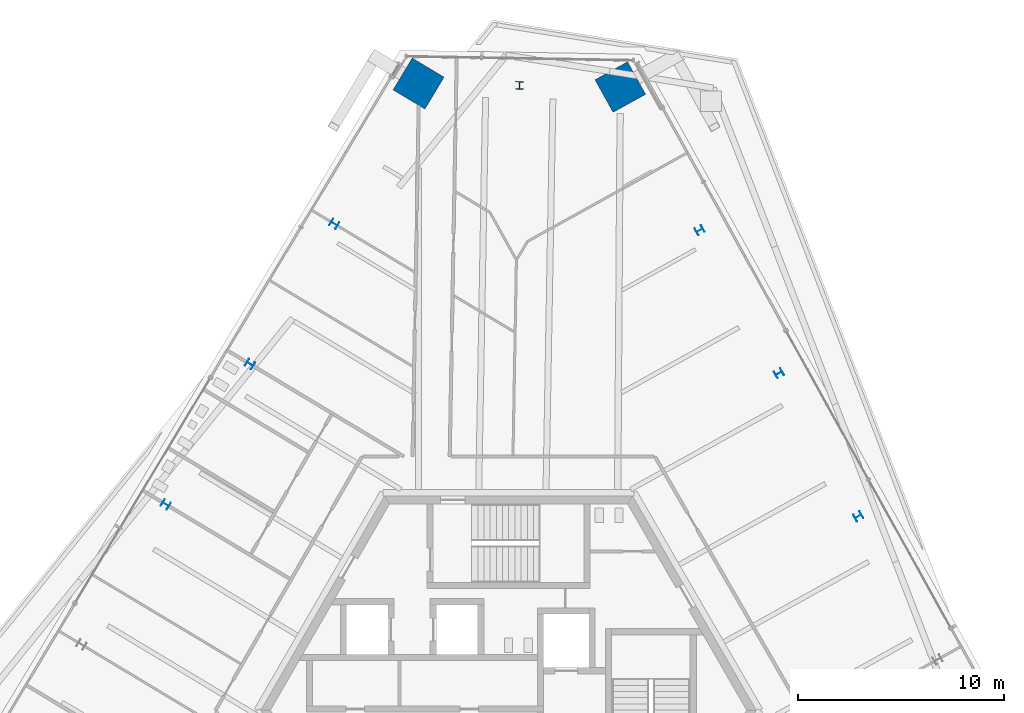
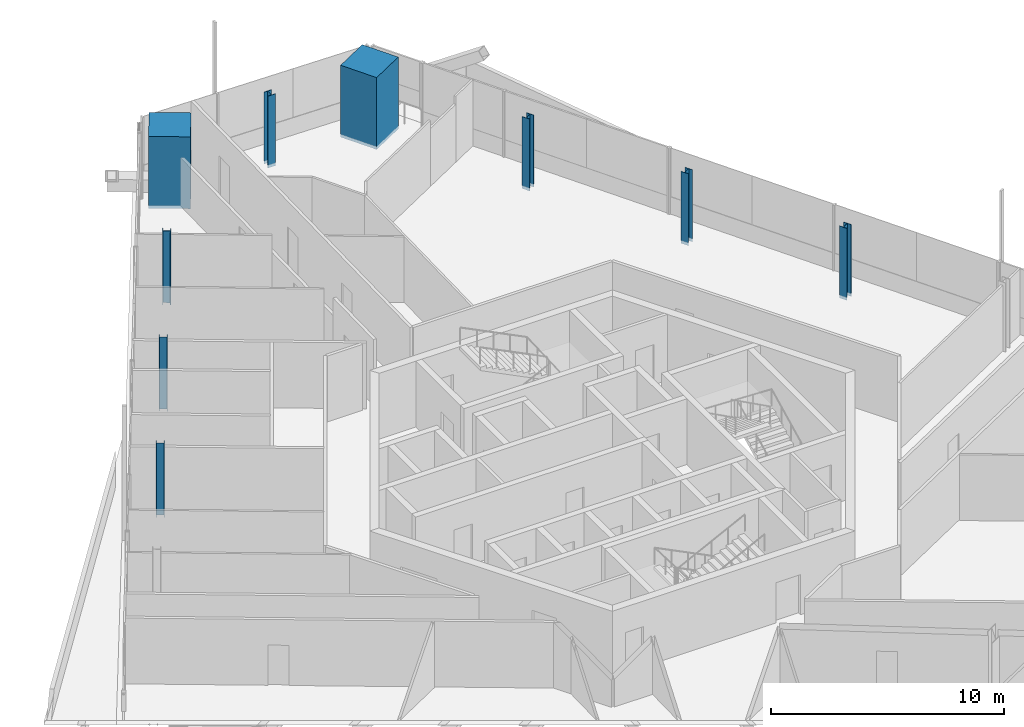
# One storey, part 3 of 22: 9 columns.
"""IFC4 building model written with IfcOpenShell, lengths in metres."""

import ifcopenshell
import ifcopenshell.guid

model = None  # the IFC model being written
_history = None  # IfcOwnerHistory: only IFC2X3 demands one
_inside = {}  # id of a spatial element -> (the spatial element, [elements in it])
_under = {}  # id of a project, library or spatial element -> (it, [spatial elements below it])
_declared = {}  # id of a project -> (the project, [libraries it declares])
_typed = {}  # id of a type object -> (the type object, [elements of that type])
_made_of = {}  # id of a material, layer set ... -> (it, [elements and type objects made of it])


def new_model(schema):
    """Start an empty IFC model of exactly this schema.

    Asked for "IFC4X3", IfcOpenShell would pick the latest addendum, in which some entities
    have other attributes; the version numbers below select the first issue.
    IFC2X3 requires an IfcOwnerHistory on every rooted entity: one is made here for all.
    """
    global model, _history
    if schema == "IFC4X3":
        model = ifcopenshell.file(schema_version=(4, 3, 0, 0))
    else:
        model = ifcopenshell.file(schema=schema)
    _inside.clear()
    _under.clear()
    _declared.clear()
    _typed.clear()
    _made_of.clear()
    _history = None
    if model.schema == "IFC2X3":
        org = make("IfcOrganization", Name="unknown")
        user = make(
            "IfcPersonAndOrganization",
            ThePerson=make("IfcPerson", FamilyName="unknown"),
            TheOrganization=org,
        )
        app = make(
            "IfcApplication",
            ApplicationDeveloper=org,
            Version="unknown",
            ApplicationFullName="unknown",
            ApplicationIdentifier="unknown",
        )
        _history = make(
            "IfcOwnerHistory",
            OwningUser=user,
            OwningApplication=app,
            ChangeAction="ADDED",
            CreationDate=0,
        )
    return model


def make(cls, **values):
    """One entity of the class cls with the attributes given. An attribute that is None is left unset."""
    return model.create_entity(
        cls, **{name: value for name, value in values.items() if value is not None}
    )


def rooted(cls, **values):
    """An entity with a GlobalId (a new one), such as an element, a storey or a relation."""
    return make(cls, GlobalId=ifcopenshell.guid.new(), OwnerHistory=_history, **values)


def si_unit(unit_type, name, prefix=None):
    """IfcSIUnit, for example si_unit("LENGTHUNIT", "METRE", prefix="MILLI")."""
    return make("IfcSIUnit", UnitType=unit_type, Prefix=prefix, Name=name)


def assignment(units):
    """IfcUnitAssignment: the units of a project."""
    return None if units is None else make("IfcUnitAssignment", Units=units)


def point(xyz):
    """IfcCartesianPoint."""
    return None if xyz is None else make("IfcCartesianPoint", Coordinates=xyz)


def direction(xyz):
    """IfcDirection."""
    return None if xyz is None else make("IfcDirection", DirectionRatios=xyz)


def frame(location, z_axis=None, x_axis=None):
    """IfcAxis2Placement3D, a coordinate frame: its origin and axes. An axis left out is left unset."""
    return make(
        "IfcAxis2Placement3D",
        Location=point(location),
        Axis=direction(z_axis),
        RefDirection=direction(x_axis),
    )


def frame_2d(location, x_axis=None):
    """IfcAxis2Placement2D, a coordinate frame in the plane: its origin and x axis."""
    return make(
        "IfcAxis2Placement2D", Location=point(location), RefDirection=direction(x_axis)
    )


def origin():
    """The frame at (0, 0, 0) with its axes left unset."""
    return frame((0.0, 0.0, 0.0))


def origin_2d():
    """The frame at (0, 0) in the plane with its x axis left unset."""
    return frame_2d((0.0, 0.0))


def place(relative_to, where):
    """IfcLocalPlacement: puts the frame where relative to a parent placement (None: the world)."""
    return make(
        "IfcLocalPlacement", PlacementRelTo=relative_to, RelativePlacement=where
    )


def context(
    kind, dimensions, precision=None, world=None, true_north=None, identifier=None
):
    """IfcGeometricRepresentationContext, for example the 3D "Model" context."""
    return make(
        "IfcGeometricRepresentationContext",
        ContextIdentifier=identifier,
        ContextType=kind,
        CoordinateSpaceDimension=dimensions,
        Precision=precision,
        WorldCoordinateSystem=world,
        TrueNorth=true_north,
    )


def subcontext(parent, identifier, kind, view, scale=None):
    """IfcGeometricRepresentationSubContext, for example "Body" below "Model"."""
    return make(
        "IfcGeometricRepresentationSubContext",
        ContextIdentifier=identifier,
        ContextType=kind,
        ParentContext=parent,
        TargetScale=scale,
        TargetView=view,
    )


def project(units=None, contexts=None):
    """IfcProject with its units and contexts."""
    return rooted(
        "IfcProject",
        Name="project",
        RepresentationContexts=contexts,
        UnitsInContext=assignment(units),
    )


def spatial(cls, under=None, at=None, **own):
    """A site, building, storey or space (cls), placed at a placement, below another one or the project."""
    s = rooted(cls, ObjectPlacement=at, **own)
    if under is not None:
        _under.setdefault(under.id(), (under, []))[1].append(s)
    return s


def profile(cls, at=None, kind="AREA", **sizes):
    """A parametric profile (cls). Its sizes go by their IFC names, for example OverallWidth=200.0."""
    return make(cls, ProfileType=kind, Position=at, **sizes)


def rectangle(**sizes):
    """IfcRectangleProfileDef."""
    return profile("IfcRectangleProfileDef", **sizes)


def i_section(**sizes):
    """IfcIShapeProfileDef."""
    return profile("IfcIShapeProfileDef", **sizes)


def extrude(swept, where, along, depth):
    """IfcExtrudedAreaSolid: the profile swept, set in the frame where, extruded along a direction by depth."""
    return make(
        "IfcExtrudedAreaSolid",
        SweptArea=swept,
        Position=where,
        ExtrudedDirection=direction(along),
        Depth=depth,
    )


def shape(context_of_items, identifier, shape_type, items):
    """IfcShapeRepresentation: the items that make up one representation, for example the "Body"."""
    return make(
        "IfcShapeRepresentation",
        ContextOfItems=context_of_items,
        RepresentationIdentifier=identifier,
        RepresentationType=shape_type,
        Items=items,
    )


def source(mapping_origin, context_of_items, identifier, shape_type, items):
    """IfcRepresentationMap: a shape defined once, which mapped items show again and again."""
    return make(
        "IfcRepresentationMap",
        MappingOrigin=mapping_origin,
        MappedRepresentation=shape(context_of_items, identifier, shape_type, items),
    )


def transform(
    local_origin,
    x_axis=None,
    y_axis=None,
    z_axis=None,
    scale=None,
    scale2=None,
    scale3=None,
    uniform=True,
):
    """IfcCartesianTransformationOperator3D, or its non-uniform kind. x_axis, y_axis, z_axis: its Axis1, 2, 3."""
    if uniform:
        return make(
            "IfcCartesianTransformationOperator3D",
            Axis1=direction(x_axis),
            Axis2=direction(y_axis),
            LocalOrigin=point(local_origin),
            Scale=scale,
            Axis3=direction(z_axis),
        )
    return make(
        "IfcCartesianTransformationOperator3DnonUniform",
        Axis1=direction(x_axis),
        Axis2=direction(y_axis),
        LocalOrigin=point(local_origin),
        Scale=scale,
        Axis3=direction(z_axis),
        Scale2=scale2,
        Scale3=scale3,
    )


def mapped(mapping_source, mapping_target):
    """IfcMappedItem: shows the shape of a source again, moved by a transform."""
    return make(
        "IfcMappedItem", MappingSource=mapping_source, MappingTarget=mapping_target
    )


def material(Name=None, Category=None):
    """IfcMaterial."""
    return make("IfcMaterial", Name=Name, Category=Category)


def material_profile(
    of_material, cross_section, Name=None, Category=None, Priority=None
):
    """IfcMaterialProfile: a cross section and its material."""
    return make(
        "IfcMaterialProfile",
        Name=Name,
        Material=of_material,
        Profile=cross_section,
        Priority=Priority,
        Category=Category,
    )


def profile_set(profiles, Name=None, composite=None):
    """IfcMaterialProfileSet."""
    return make(
        "IfcMaterialProfileSet",
        Name=Name,
        MaterialProfiles=profiles,
        CompositeProfile=composite,
    )


def made_of(thing, what):
    """Note that an element or type object is made of a material, layer set ...; save() writes the relation."""
    if what is not None:
        _made_of.setdefault(what.id(), (what, []))[1].append(thing)
    return thing


def type_object(cls, material=None, **own):
    """A type object (cls), such as IfcWallType, which elements share."""
    return made_of(rooted(cls, **own), material)


def element(
    cls,
    number,
    at=None,
    inside=None,
    cuts=None,
    type_object=None,
    material=None,
    context=None,
    identifier="Body",
    shape_type=None,
    held_by="IfcProductDefinitionShape",
    body=None,
    shapes=None,
    **own,
):
    """One element of the class cls, such as IfcWall. Its Tag is "e" and its number.

    at: its placement. inside: the storey or other place that contains it. cuts: it is an
    opening in that element (IfcRelVoidsElement). A single representation is given by context,
    identifier, shape_type and body (its items); several are given by shapes. held_by: the class
    of the entity that holds the representations. save() writes the other relations.
    """
    e = rooted(cls, Tag="e%d" % number, ObjectPlacement=at, **own)
    if body is not None:
        shapes = [shape(context, identifier, shape_type, body)]
    if shapes is not None:
        e.Representation = make(held_by, Representations=shapes)
    if inside is not None:
        _inside.setdefault(inside.id(), (inside, []))[1].append(e)
    if cuts is not None:
        rooted(
            "IfcRelVoidsElement", RelatingBuildingElement=cuts, RelatedOpeningElement=e
        )
    if type_object is not None:
        _typed.setdefault(type_object.id(), (type_object, []))[1].append(e)
    return made_of(e, material)


def aggregate(whole, parts):
    """IfcRelAggregates: a whole, such as a stair, and the parts it consists of."""
    return rooted("IfcRelAggregates", RelatingObject=whole, RelatedObjects=parts)


def save(model, path):
    """Write the relations noted so far, then the file.

    IfcRelAggregates (storeys below a building ...), IfcRelContainedInSpatialStructure (elements
    in a storey), IfcRelDefinesByType, IfcRelAssociatesMaterial and IfcRelDeclares: one each for
    every whole, place, type object, material and project.
    """
    for whole, parts in _under.values():
        aggregate(whole, parts)
    for where, things in _inside.values():
        rooted(
            "IfcRelContainedInSpatialStructure",
            RelatedElements=things,
            RelatingStructure=where,
        )
    for kind, things in _typed.values():
        rooted("IfcRelDefinesByType", RelatedObjects=things, RelatingType=kind)
    for what, things in _made_of.values():
        rooted("IfcRelAssociatesMaterial", RelatedObjects=things, RelatingMaterial=what)
    for by, libraries in _declared.values():
        rooted("IfcRelDeclares", RelatingContext=by, RelatedDefinitions=libraries)
    model.write(path)


model = new_model("IFC4")

# Units and contexts
model_context = context("Model", 3, precision=1e-05, world=origin(), true_north=direction((0.0, 1.0)))
body_context = subcontext(model_context, "Body", "Model", "MODEL_VIEW")
ifc_project = project(units=[si_unit("LENGTHUNIT", "METRE"), si_unit("AREAUNIT", "SQUARE_METRE"), si_unit("VOLUMEUNIT", "CUBIC_METRE"), si_unit("PLANEANGLEUNIT", "RADIAN"), si_unit("MASSUNIT", "GRAM", prefix="KILO")], contexts=[model_context])

# Site, building, storey
site_placement = place(None, origin())
site = spatial("IfcSite", under=ifc_project, at=site_placement, CompositionType="ELEMENT")
building_placement = place(site_placement, origin())
building = spatial("IfcBuilding", under=site, at=building_placement, Name="Triune Harvest Tower", CompositionType="ELEMENT")
storey_placement = place(building_placement, frame((0.0, 0.0, 179.89990234375)))
storey = spatial("IfcBuildingStorey", under=building, at=storey_placement, Name="L46", CompositionType="ELEMENT", Elevation=179.89990234375)

# Columns
ifc_material_1 = material(Name="Concrete 70 MPa", Category="concrete")
ifc_material_profile_1 = material_profile(ifc_material_1, rectangle(XDim=1.800048828125, YDim=1.800048828125, at=origin_2d()), Name="Composite 1800x1800")
ifc_profile_set_1 = profile_set([ifc_material_profile_1], Name="Concrete 70 MPa")
column_type_1 = type_object("IfcColumnType", Name="MC-5 Mega column Composite 1800x1800", PredefinedType="COLUMN", material=ifc_profile_set_1)
shared_shape_1 = source(origin(), body_context, "Body", "SweptSolid", [
    extrude(rectangle(XDim=1.800048828125, YDim=1.800048828125, at=origin_2d()), origin(), (0.0, 0.0, 1.0), 3.760009765625),
])
for number, where, z_axis, x_axis, name in (
    (1, (5.416015625, 30.193115234375, -0.159912109375), (0.0, 0.0, 1.0), (-0.484809620246, 0.874619707139, 0.0), "col/L46/M6"),
    (2, (-4.359130859375, 30.36376953125, -0.159912109375), (0.0, 0.0, 1.0), (-0.51503657887, -0.857168199612, 0.0), "col/L46/M8"),
):
    element("IfcColumn", number, at=place(storey_placement, frame(where, z_axis=z_axis, x_axis=x_axis)), inside=storey, type_object=column_type_1, Name=name, PredefinedType="COLUMN", context=body_context, shape_type="MappedRepresentation", body=[
        mapped(shared_shape_1, transform((0.0, 0.0, 0.0), scale=1.0)),
    ])
ifc_material_2 = material(Name="Steel ASTM A992 Gr 50", Category="steel")
ifc_material_profile_2 = material_profile(ifc_material_2, i_section(OverallWidth=0.370849609375, OverallDepth=0.36328125, WebThickness=0.013427734375, FlangeThickness=0.021728515625, at=origin_2d()), Name="W14x109")
ifc_profile_set_2 = profile_set([ifc_material_profile_2], Name="Steel ASTM A992 Gr 50")
column_type_2 = type_object("IfcColumnType", Name="PC-5 Perimeter column W14x109", PredefinedType="COLUMN", material=ifc_profile_set_2)
shared_shape_2 = source(origin(), body_context, "Body", "SweptSolid", [
    extrude(i_section(OverallWidth=0.370849609375, OverallDepth=0.36328125, WebThickness=0.013427734375, FlangeThickness=0.021728515625, at=origin_2d()), origin(), (0.0, 0.0, 1.0), 3.760009765625),
])
for number, where, z_axis, x_axis, name in (
    (3, (16.94580078125, 9.39306640625, -0.159912109375), (0.0, 0.0, 1.0), (-0.484809620246, 0.874619707139, 0.0), "col/L46/P3"),
    (4, (13.1025390625, 16.326416015625, -0.159912109375), (0.0, 0.0, 1.0), (-0.484809620246, 0.874619707139, 0.0), "col/L46/P4"),
    (5, (9.25927734375, 23.259765625, -0.159912109375), (0.0, 0.0, 1.0), (-0.484809620246, 0.874619707139, 0.0), "col/L46/P5"),
    (6, (0.528564453125, 30.2783203125, -0.159912109375), (0.0, 0.0, 1.0), (-0.999847725615, 0.017450661374, 0.0), "col/L46/P7"),
    (7, (-8.44189453125, 23.568603515625, -0.159912109375), (0.0, 0.0, 1.0), (-0.51503657887, -0.857168199612, 0.0), "col/L46/P9"),
    (8, (-12.524658203125, 16.773681640625, -0.159912109375), (0.0, 0.0, 1.0), (-0.51503657887, -0.857168199612, 0.0), "col/L46/P10"),
    (9, (-16.607421875, 9.978759765625, -0.159912109375), (0.0, 0.0, 1.0), (-0.51503657887, -0.857168199612, 0.0), "col/L46/P11"),
):
    element("IfcColumn", number, at=place(storey_placement, frame(where, z_axis=z_axis, x_axis=x_axis)), inside=storey, type_object=column_type_2, Name=name, PredefinedType="COLUMN", context=body_context, shape_type="MappedRepresentation", body=[
        mapped(shared_shape_2, transform((0.0, 0.0, 0.0), scale=1.0)),
    ])

save(model, "model.ifc")
